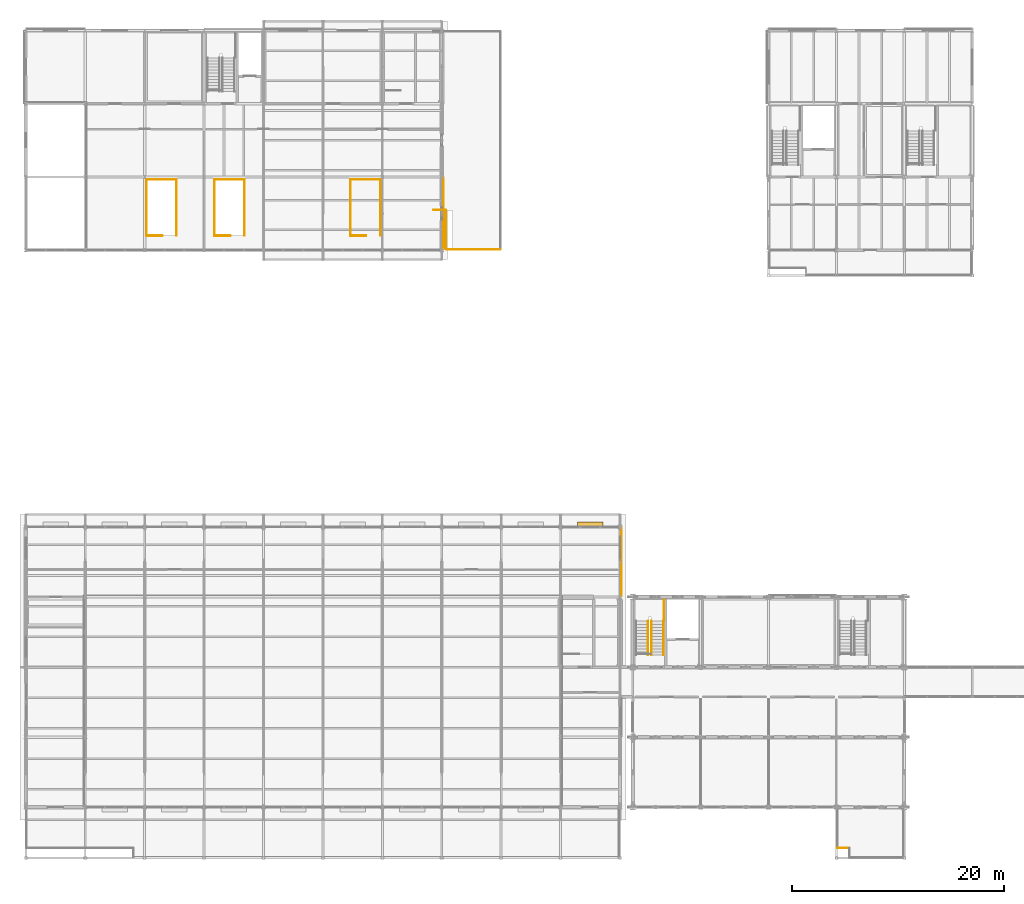
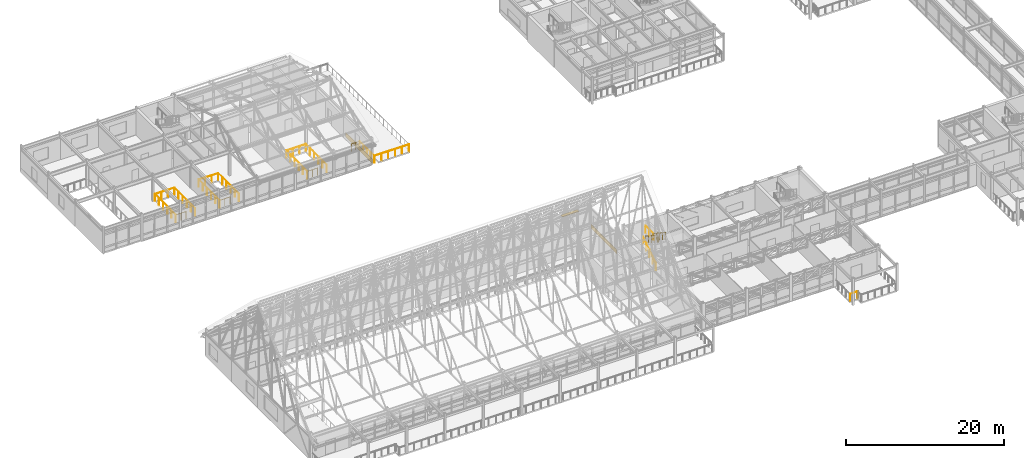
# One storey, part 140 of 144: 20 railings, 2 coverings, 1 shading device.
"""IFC4 building model written with IfcOpenShell, lengths in metres."""

from ifc_helpers import new_model, si_unit, direction, frame, origin, origin_2d, place, context, subcontext, project, spatial, rectangle, circle, extrude, material, layer, layer_set, type_object, element, save


model = new_model("IFC4")

# Units and contexts
model_context = context("Model", 3, precision=1e-05, world=origin(), true_north=direction((0.0, 1.0)))
body_context = subcontext(model_context, "Body", "Model", "MODEL_VIEW")
ifc_project = project(units=[si_unit("LENGTHUNIT", "METRE"), si_unit("AREAUNIT", "SQUARE_METRE"), si_unit("VOLUMEUNIT", "CUBIC_METRE"), si_unit("PLANEANGLEUNIT", "RADIAN"), si_unit("MASSUNIT", "GRAM", prefix="KILO")], contexts=[model_context])

# Site, building, storey
site_placement = place(None, origin())
site = spatial("IfcSite", under=ifc_project, at=site_placement, CompositionType="ELEMENT")
building_placement = place(site_placement, origin())
building = spatial("IfcBuilding", under=site, at=building_placement, Name="Trelmorton Wharf Fire Station", CompositionType="ELEMENT")
storey_placement = place(building_placement, frame((0.0, 0.0, 5.39990234375)))
storey = spatial("IfcBuildingStorey", under=building, at=storey_placement, Name="L01", CompositionType="ELEMENT", Elevation=5.39990234375)

# Coverings
ifc_material_1 = material(Name="Architectural terracotta cladding", Category="masonry")
ifc_layer_1 = layer(ifc_material_1, 0.044921875)
ifc_layer_set_1 = layer_set([ifc_layer_1], Name="Architectural terracotta cladding")
covering_type = type_object("IfcCoveringType", Name="CV_CLAD_TER", PredefinedType="CLADDING", material=ifc_layer_set_1)
covering_1_placement = place(storey_placement, frame((56.93505859375, 30.89990234375, 0.0302734375), z_axis=(0.0, 0.0, 1.0), x_axis=(0.0, -1.0, 0.0)))
element("IfcCovering", 1, at=covering_1_placement, inside=storey, type_object=covering_type, Name="CV-TER-0004", PredefinedType="CLADDING", context=body_context, shape_type="SweptSolid", body=[
    extrude(rectangle(XDim=6.469970703125, YDim=0.044921875, at=origin_2d()), origin(), (0.0, 0.0, 1.0), 0.659912109375),
])
covering_2_placement = place(storey_placement, frame((40.1650390625, 63.75, 0.0302734375), z_axis=(0.0, 0.0, 1.0), x_axis=(0.0, -1.0, 0.0)))
element("IfcCovering", 2, at=covering_2_placement, inside=storey, type_object=covering_type, Name="CV-TER-0025", PredefinedType="CLADDING", context=body_context, shape_type="SweptSolid", body=[
    extrude(rectangle(XDim=6.77001953125, YDim=0.044921875, at=origin_2d()), origin(), (0.0, 0.0, 1.0), 0.659912109375),
])

# Railings
ifc_material_2 = material(Name="Signal-red architectural steel Grade 350", Category="steel")
railing_type_1 = type_object("IfcRailingType", Name="RL_BAL_RED", PredefinedType="BALUSTRADE", material=ifc_material_2)
railing_1_placement = place(storey_placement, frame((77.320068359375, 3.93994140625, 0.0)))
element("IfcRailing", 3, at=railing_1_placement, inside=storey, type_object=railing_type_1, Name="RL-DECK-L01-014", PredefinedType="BALUSTRADE", context=body_context, shape_type="SweptSolid", body=[
    extrude(circle(Radius=0.02392578125, at=origin_2d()), frame((0.0, 0.0, 1.09619140625), z_axis=(1.0, 0.0, 0.0), x_axis=(0.0, 1.0, 0.0)), (0.0, 0.0, 1.0), 1.059814453125),
    extrude(circle(Radius=0.02099609375, at=origin_2d()), origin(), (0.0, 0.0, 1.0), 1.072021484375),
    extrude(circle(Radius=0.02099609375, at=origin_2d()), frame((1.059814453125, 0.0, 0.0)), (0.0, 0.0, 1.0), 1.072021484375),
])
ifc_material_3 = material(Name="Stainless steel 316 marine grade", Category="steel")
railing_type_2 = type_object("IfcRailingType", Name="RL_BAL_TERR", PredefinedType="BALUSTRADE", material=ifc_material_3)
railing_2_placement = place(storey_placement, frame((39.239990234375, 64.10009765625, 0.0)))
element("IfcRailing", 4, at=railing_2_placement, inside=storey, type_object=railing_type_2, Name="RL-DECK-L01-041", PredefinedType="BALUSTRADE", context=body_context, shape_type="SweptSolid", body=[
    extrude(circle(Radius=0.02392578125, at=origin_2d()), frame((0.0, 0.0, 1.09619140625), z_axis=(1.0, 0.0, 0.0), x_axis=(0.0, 1.0, 0.0)), (0.0, 0.0, 1.0), 1.139892578125),
    extrude(circle(Radius=0.02099609375, at=origin_2d()), origin(), (0.0, 0.0, 1.0), 1.072021484375),
    extrude(circle(Radius=0.02099609375, at=origin_2d()), frame((0.56982421875, 0.0, 0.0)), (0.0, 0.0, 1.0), 1.072021484375),
    extrude(circle(Radius=0.02099609375, at=origin_2d()), frame((1.139892578125, 0.0, 0.0)), (0.0, 0.0, 1.0), 1.072021484375),
])
railing_3_placement = place(storey_placement, frame((40.419921875, 64.06005859375, 0.0)))
element("IfcRailing", 5, at=railing_3_placement, inside=storey, type_object=railing_type_2, Name="RL-DECK-L01-042", PredefinedType="BALUSTRADE", context=body_context, shape_type="SweptSolid", body=[
    extrude(circle(Radius=0.02392578125, at=origin_2d()), frame((0.0, 0.0, 1.09619140625), z_axis=(0.0, -1.0, 0.0), x_axis=(1.0, 0.0, 0.0)), (0.0, 0.0, 1.0), 3.64013671875),
    extrude(circle(Radius=0.02099609375, at=origin_2d()), origin(), (0.0, 0.0, 1.0), 1.072021484375),
    extrude(circle(Radius=0.02099609375, at=origin_2d()), frame((0.0, -0.91015625, 0.0)), (0.0, 0.0, 1.0), 1.072021484375),
    extrude(circle(Radius=0.02099609375, at=origin_2d()), frame((0.0, -1.820068359375, 0.0)), (0.0, 0.0, 1.0), 1.072021484375),
    extrude(circle(Radius=0.02099609375, at=origin_2d()), frame((0.0, -2.72998046875, 0.0)), (0.0, 0.0, 1.0), 1.072021484375),
    extrude(circle(Radius=0.02099609375, at=origin_2d()), frame((0.0, -3.64013671875, 0.0)), (0.0, 0.0, 1.0), 1.072021484375),
])
railing_4_placement = place(storey_placement, frame((40.4599609375, 60.3798828125, 0.0)))
element("IfcRailing", 6, at=railing_4_placement, inside=storey, type_object=railing_type_2, Name="RL-DECK-L01-043", PredefinedType="BALUSTRADE", context=body_context, shape_type="SweptSolid", body=[
    extrude(circle(Radius=0.02392578125, at=origin_2d()), frame((0.0, 0.0, 1.09619140625), z_axis=(1.0, 0.0, 0.0), x_axis=(0.0, 1.0, 0.0)), (0.0, 0.0, 1.0), 5.02001953125),
    extrude(circle(Radius=0.02099609375, at=origin_2d()), origin(), (0.0, 0.0, 1.0), 1.072021484375),
    extrude(circle(Radius=0.02099609375, at=origin_2d()), frame((1.00390625, 0.0, 0.0)), (0.0, 0.0, 1.0), 1.072021484375),
    extrude(circle(Radius=0.02099609375, at=origin_2d()), frame((2.008056640625, 0.0, 0.0)), (0.0, 0.0, 1.0), 1.072021484375),
    extrude(circle(Radius=0.02099609375, at=origin_2d()), frame((3.011962890625, 0.0, 0.0)), (0.0, 0.0, 1.0), 1.072021484375),
    extrude(circle(Radius=0.02099609375, at=origin_2d()), frame((4.01611328125, 0.0, 0.0)), (0.0, 0.0, 1.0), 1.072021484375),
    extrude(circle(Radius=0.02099609375, at=origin_2d()), frame((5.02001953125, 0.0, 0.0)), (0.0, 0.0, 1.0), 1.072021484375),
])
railing_type_3 = type_object("IfcRailingType", Name="RL_WELL_1100", PredefinedType="BALUSTRADE", material=ifc_material_3)
railing_5_placement = place(storey_placement, frame((60.955078125, 27.3349609375, 2.10009765625)))
element("IfcRailing", 7, at=railing_5_placement, inside=storey, type_object=railing_type_3, Name="RL-GW-OUT1-STR-C2-L01-03", PredefinedType="BALUSTRADE", context=body_context, shape_type="SweptSolid", body=[
    extrude(circle(Radius=0.02392578125, at=origin_2d()), frame((0.0, 0.0, 1.09619140625), z_axis=(0.0, -1.0, 0.0), x_axis=(1.0, 0.0, 0.0)), (0.0, 0.0, 1.0), 1.96484375),
    extrude(circle(Radius=0.02099609375, at=origin_2d()), origin(), (0.0, 0.0, 1.0), 1.072021484375),
    extrude(circle(Radius=0.02099609375, at=origin_2d()), frame((0.0, -0.982421875, 0.0)), (0.0, 0.0, 1.0), 1.072021484375),
    extrude(circle(Radius=0.02099609375, at=origin_2d()), frame((0.0, -1.96484375, 0.0)), (0.0, 0.0, 1.0), 1.072021484375),
])
railing_6_placement = place(storey_placement, frame((60.889892578125, 25.330078125, 2.10009765625)))
element("IfcRailing", 8, at=railing_6_placement, inside=storey, type_object=railing_type_3, Name="RL-GW-OUT2-STR-C2-L01-03", PredefinedType="BALUSTRADE", context=body_context, shape_type="SweptSolid", body=[
    extrude(circle(Radius=0.02392578125, at=origin_2d()), frame((0.0, 0.0, 1.09619140625), z_axis=(0.0, -0.835261802243, 0.549852454495), x_axis=(1.0, 0.0, 0.0)), (0.0, 0.0, 1.0), 3.8193359375),
    extrude(circle(Radius=0.02099609375, at=origin_2d()), origin(), (0.0, 0.0, 1.0), 1.072021484375),
    extrude(circle(Radius=0.02099609375, at=origin_2d()), frame((0.0, -0.797607421875, 0.52490234375)), (0.0, 0.0, 1.0), 1.072021484375),
    extrude(circle(Radius=0.02099609375, at=origin_2d()), frame((0.0, -1.59521484375, 1.050048828125)), (0.0, 0.0, 1.0), 1.072021484375),
    extrude(circle(Radius=0.02099609375, at=origin_2d()), frame((0.0, -2.392578125, 1.5751953125)), (0.0, 0.0, 1.0), 1.072021484375),
    extrude(circle(Radius=0.02099609375, at=origin_2d()), frame((0.0, -3.190185546875, 2.10009765625)), (0.0, 0.0, 1.0), 1.072021484375),
])
railing_7_placement = place(storey_placement, frame((59.449951171875, 22.139892578125, 0.0)))
element("IfcRailing", 9, at=railing_7_placement, inside=storey, type_object=railing_type_3, Name="RL-GW-IN1-STR-C2-L01-03", PredefinedType="BALUSTRADE", context=body_context, shape_type="SweptSolid", body=[
    extrude(circle(Radius=0.02392578125, at=origin_2d()), frame((0.0, 0.0, 1.09619140625), z_axis=(0.0, 0.835261802243, 0.549852454495), x_axis=(-1.0, 0.0, 0.0)), (0.0, 0.0, 1.0), 3.8193359375),
    extrude(circle(Radius=0.02099609375, at=origin_2d()), origin(), (0.0, 0.0, 1.0), 1.072021484375),
    extrude(circle(Radius=0.02099609375, at=origin_2d()), frame((0.0, 0.797607421875, 0.52490234375)), (0.0, 0.0, 1.0), 1.072021484375),
    extrude(circle(Radius=0.02099609375, at=origin_2d()), frame((0.0, 1.59521484375, 1.050048828125)), (0.0, 0.0, 1.0), 1.072021484375),
    extrude(circle(Radius=0.02099609375, at=origin_2d()), frame((0.0, 2.392578125, 1.5751953125)), (0.0, 0.0, 1.0), 1.072021484375),
    extrude(circle(Radius=0.02099609375, at=origin_2d()), frame((0.0, 3.190185546875, 2.10009765625)), (0.0, 0.0, 1.0), 1.072021484375),
])
railing_8_placement = place(storey_placement, frame((59.75, 25.330078125, 2.10009765625)))
element("IfcRailing", 10, at=railing_8_placement, inside=storey, type_object=railing_type_3, Name="RL-GW-IN2-STR-C2-L01-03", PredefinedType="BALUSTRADE", context=body_context, shape_type="SweptSolid", body=[
    extrude(circle(Radius=0.02392578125, at=origin_2d()), frame((0.0, 0.0, 1.09619140625), z_axis=(0.0, -0.835261802243, 0.549852454495), x_axis=(1.0, 0.0, 0.0)), (0.0, 0.0, 1.0), 3.8193359375),
    extrude(circle(Radius=0.02099609375, at=origin_2d()), origin(), (0.0, 0.0, 1.0), 1.072021484375),
    extrude(circle(Radius=0.02099609375, at=origin_2d()), frame((0.0, -0.797607421875, 0.52490234375)), (0.0, 0.0, 1.0), 1.072021484375),
    extrude(circle(Radius=0.02099609375, at=origin_2d()), frame((0.0, -1.59521484375, 1.050048828125)), (0.0, 0.0, 1.0), 1.072021484375),
    extrude(circle(Radius=0.02099609375, at=origin_2d()), frame((0.0, -2.392578125, 1.5751953125)), (0.0, 0.0, 1.0), 1.072021484375),
    extrude(circle(Radius=0.02099609375, at=origin_2d()), frame((0.0, -3.190185546875, 2.10009765625)), (0.0, 0.0, 1.0), 1.072021484375),
])
railing_9_placement = place(storey_placement, frame((12.179931640625, 61.659912109375, 0.0)))
element("IfcRailing", 11, at=railing_9_placement, inside=storey, type_object=railing_type_3, Name="RL-STS-01-US", PredefinedType="BALUSTRADE", context=body_context, shape_type="SweptSolid", body=[
    extrude(circle(Radius=0.02392578125, at=origin_2d()), frame((0.0, 0.0, 1.09619140625), z_axis=(1.0, 0.0, 0.0), x_axis=(0.0, 1.0, 0.0)), (0.0, 0.0, 1.0), 1.5),
    extrude(circle(Radius=0.02099609375, at=origin_2d()), origin(), (0.0, 0.0, 1.0), 1.072021484375),
    extrude(circle(Radius=0.02099609375, at=origin_2d()), frame((0.75, 0.0, 0.0)), (0.0, 0.0, 1.0), 1.072021484375),
    extrude(circle(Radius=0.02099609375, at=origin_2d()), frame((1.5, 0.0, 0.0)), (0.0, 0.0, 1.0), 1.072021484375),
])
railing_10_placement = place(storey_placement, frame((12.179931640625, 61.659912109375, 0.0)))
element("IfcRailing", 12, at=railing_10_placement, inside=storey, type_object=railing_type_3, Name="RL-STS-01-UW", PredefinedType="BALUSTRADE", context=body_context, shape_type="SweptSolid", body=[
    extrude(circle(Radius=0.02392578125, at=origin_2d()), frame((0.0, 0.0, 1.09619140625), z_axis=(0.0, 1.0, 0.0), x_axis=(-1.0, 0.0, 0.0)), (0.0, 0.0, 1.0), 5.280029296875),
    extrude(circle(Radius=0.02099609375, at=origin_2d()), origin(), (0.0, 0.0, 1.0), 1.072021484375),
    extrude(circle(Radius=0.02099609375, at=origin_2d()), frame((0.0, 1.055908203125, 0.0)), (0.0, 0.0, 1.0), 1.072021484375),
    extrude(circle(Radius=0.02099609375, at=origin_2d()), frame((0.0, 2.112060546875, 0.0)), (0.0, 0.0, 1.0), 1.072021484375),
    extrude(circle(Radius=0.02099609375, at=origin_2d()), frame((0.0, 3.16796875, 0.0)), (0.0, 0.0, 1.0), 1.072021484375),
    extrude(circle(Radius=0.02099609375, at=origin_2d()), frame((0.0, 4.22412109375, 0.0)), (0.0, 0.0, 1.0), 1.072021484375),
    extrude(circle(Radius=0.02099609375, at=origin_2d()), frame((0.0, 5.280029296875, 0.0)), (0.0, 0.0, 1.0), 1.072021484375),
])
railing_11_placement = place(storey_placement, frame((12.179931640625, 66.93994140625, 0.0)))
element("IfcRailing", 13, at=railing_11_placement, inside=storey, type_object=railing_type_3, Name="RL-STS-01-UN", PredefinedType="BALUSTRADE", context=body_context, shape_type="SweptSolid", body=[
    extrude(circle(Radius=0.02392578125, at=origin_2d()), frame((0.0, 0.0, 1.09619140625), z_axis=(1.0, 0.0, 0.0), x_axis=(0.0, 1.0, 0.0)), (0.0, 0.0, 1.0), 2.840087890625),
    extrude(circle(Radius=0.02099609375, at=origin_2d()), origin(), (0.0, 0.0, 1.0), 1.072021484375),
    extrude(circle(Radius=0.02099609375, at=origin_2d()), frame((0.94677734375, 0.0, 0.0)), (0.0, 0.0, 1.0), 1.072021484375),
    extrude(circle(Radius=0.02099609375, at=origin_2d()), frame((1.893310546875, 0.0, 0.0)), (0.0, 0.0, 1.0), 1.072021484375),
    extrude(circle(Radius=0.02099609375, at=origin_2d()), frame((2.840087890625, 0.0, 0.0)), (0.0, 0.0, 1.0), 1.072021484375),
])
railing_12_placement = place(storey_placement, frame((15.02001953125, 61.659912109375, 0.0)))
element("IfcRailing", 14, at=railing_12_placement, inside=storey, type_object=railing_type_3, Name="RL-STS-01-UE", PredefinedType="BALUSTRADE", context=body_context, shape_type="SweptSolid", body=[
    extrude(circle(Radius=0.02392578125, at=origin_2d()), frame((0.0, 0.0, 1.09619140625), z_axis=(0.0, 1.0, 0.0), x_axis=(-1.0, 0.0, 0.0)), (0.0, 0.0, 1.0), 5.280029296875),
    extrude(circle(Radius=0.02099609375, at=origin_2d()), origin(), (0.0, 0.0, 1.0), 1.072021484375),
    extrude(circle(Radius=0.02099609375, at=origin_2d()), frame((0.0, 1.055908203125, 0.0)), (0.0, 0.0, 1.0), 1.072021484375),
    extrude(circle(Radius=0.02099609375, at=origin_2d()), frame((0.0, 2.112060546875, 0.0)), (0.0, 0.0, 1.0), 1.072021484375),
    extrude(circle(Radius=0.02099609375, at=origin_2d()), frame((0.0, 3.16796875, 0.0)), (0.0, 0.0, 1.0), 1.072021484375),
    extrude(circle(Radius=0.02099609375, at=origin_2d()), frame((0.0, 4.22412109375, 0.0)), (0.0, 0.0, 1.0), 1.072021484375),
    extrude(circle(Radius=0.02099609375, at=origin_2d()), frame((0.0, 5.280029296875, 0.0)), (0.0, 0.0, 1.0), 1.072021484375),
])
railing_13_placement = place(storey_placement, frame((18.580078125, 61.659912109375, 0.0)))
element("IfcRailing", 15, at=railing_13_placement, inside=storey, type_object=railing_type_3, Name="RL-STS-02-US", PredefinedType="BALUSTRADE", context=body_context, shape_type="SweptSolid", body=[
    extrude(circle(Radius=0.02392578125, at=origin_2d()), frame((0.0, 0.0, 1.09619140625), z_axis=(1.0, 0.0, 0.0), x_axis=(0.0, 1.0, 0.0)), (0.0, 0.0, 1.0), 1.5),
    extrude(circle(Radius=0.02099609375, at=origin_2d()), origin(), (0.0, 0.0, 1.0), 1.072021484375),
    extrude(circle(Radius=0.02099609375, at=origin_2d()), frame((0.75, 0.0, 0.0)), (0.0, 0.0, 1.0), 1.072021484375),
    extrude(circle(Radius=0.02099609375, at=origin_2d()), frame((1.5, 0.0, 0.0)), (0.0, 0.0, 1.0), 1.072021484375),
])
railing_14_placement = place(storey_placement, frame((18.580078125, 61.659912109375, 0.0)))
element("IfcRailing", 16, at=railing_14_placement, inside=storey, type_object=railing_type_3, Name="RL-STS-02-UW", PredefinedType="BALUSTRADE", context=body_context, shape_type="SweptSolid", body=[
    extrude(circle(Radius=0.02392578125, at=origin_2d()), frame((0.0, 0.0, 1.09619140625), z_axis=(0.0, 1.0, 0.0), x_axis=(-1.0, 0.0, 0.0)), (0.0, 0.0, 1.0), 5.280029296875),
    extrude(circle(Radius=0.02099609375, at=origin_2d()), origin(), (0.0, 0.0, 1.0), 1.072021484375),
    extrude(circle(Radius=0.02099609375, at=origin_2d()), frame((0.0, 1.055908203125, 0.0)), (0.0, 0.0, 1.0), 1.072021484375),
    extrude(circle(Radius=0.02099609375, at=origin_2d()), frame((0.0, 2.112060546875, 0.0)), (0.0, 0.0, 1.0), 1.072021484375),
    extrude(circle(Radius=0.02099609375, at=origin_2d()), frame((0.0, 3.16796875, 0.0)), (0.0, 0.0, 1.0), 1.072021484375),
    extrude(circle(Radius=0.02099609375, at=origin_2d()), frame((0.0, 4.22412109375, 0.0)), (0.0, 0.0, 1.0), 1.072021484375),
    extrude(circle(Radius=0.02099609375, at=origin_2d()), frame((0.0, 5.280029296875, 0.0)), (0.0, 0.0, 1.0), 1.072021484375),
])
railing_15_placement = place(storey_placement, frame((18.580078125, 66.93994140625, 0.0)))
element("IfcRailing", 17, at=railing_15_placement, inside=storey, type_object=railing_type_3, Name="RL-STS-02-UN", PredefinedType="BALUSTRADE", context=body_context, shape_type="SweptSolid", body=[
    extrude(circle(Radius=0.02392578125, at=origin_2d()), frame((0.0, 0.0, 1.09619140625), z_axis=(1.0, 0.0, 0.0), x_axis=(0.0, 1.0, 0.0)), (0.0, 0.0, 1.0), 2.83984375),
    extrude(circle(Radius=0.02099609375, at=origin_2d()), origin(), (0.0, 0.0, 1.0), 1.072021484375),
    extrude(circle(Radius=0.02099609375, at=origin_2d()), frame((0.946533203125, 0.0, 0.0)), (0.0, 0.0, 1.0), 1.072021484375),
    extrude(circle(Radius=0.02099609375, at=origin_2d()), frame((1.893310546875, 0.0, 0.0)), (0.0, 0.0, 1.0), 1.072021484375),
    extrude(circle(Radius=0.02099609375, at=origin_2d()), frame((2.83984375, 0.0, 0.0)), (0.0, 0.0, 1.0), 1.072021484375),
])
railing_16_placement = place(storey_placement, frame((21.419921875, 61.659912109375, 0.0)))
element("IfcRailing", 18, at=railing_16_placement, inside=storey, type_object=railing_type_3, Name="RL-STS-02-UE", PredefinedType="BALUSTRADE", context=body_context, shape_type="SweptSolid", body=[
    extrude(circle(Radius=0.02392578125, at=origin_2d()), frame((0.0, 0.0, 1.09619140625), z_axis=(0.0, 1.0, 0.0), x_axis=(-1.0, 0.0, 0.0)), (0.0, 0.0, 1.0), 5.280029296875),
    extrude(circle(Radius=0.02099609375, at=origin_2d()), origin(), (0.0, 0.0, 1.0), 1.072021484375),
    extrude(circle(Radius=0.02099609375, at=origin_2d()), frame((0.0, 1.055908203125, 0.0)), (0.0, 0.0, 1.0), 1.072021484375),
    extrude(circle(Radius=0.02099609375, at=origin_2d()), frame((0.0, 2.112060546875, 0.0)), (0.0, 0.0, 1.0), 1.072021484375),
    extrude(circle(Radius=0.02099609375, at=origin_2d()), frame((0.0, 3.16796875, 0.0)), (0.0, 0.0, 1.0), 1.072021484375),
    extrude(circle(Radius=0.02099609375, at=origin_2d()), frame((0.0, 4.22412109375, 0.0)), (0.0, 0.0, 1.0), 1.072021484375),
    extrude(circle(Radius=0.02099609375, at=origin_2d()), frame((0.0, 5.280029296875, 0.0)), (0.0, 0.0, 1.0), 1.072021484375),
])
railing_17_placement = place(storey_placement, frame((31.3798828125, 61.659912109375, 0.0)))
element("IfcRailing", 19, at=railing_17_placement, inside=storey, type_object=railing_type_3, Name="RL-STS-03-US", PredefinedType="BALUSTRADE", context=body_context, shape_type="SweptSolid", body=[
    extrude(circle(Radius=0.02392578125, at=origin_2d()), frame((0.0, 0.0, 1.09619140625), z_axis=(1.0, 0.0, 0.0), x_axis=(0.0, 1.0, 0.0)), (0.0, 0.0, 1.0), 1.5),
    extrude(circle(Radius=0.02099609375, at=origin_2d()), origin(), (0.0, 0.0, 1.0), 1.072021484375),
    extrude(circle(Radius=0.02099609375, at=origin_2d()), frame((0.75, 0.0, 0.0)), (0.0, 0.0, 1.0), 1.072021484375),
    extrude(circle(Radius=0.02099609375, at=origin_2d()), frame((1.5, 0.0, 0.0)), (0.0, 0.0, 1.0), 1.072021484375),
])
railing_18_placement = place(storey_placement, frame((31.3798828125, 61.659912109375, 0.0)))
element("IfcRailing", 20, at=railing_18_placement, inside=storey, type_object=railing_type_3, Name="RL-STS-03-UW", PredefinedType="BALUSTRADE", context=body_context, shape_type="SweptSolid", body=[
    extrude(circle(Radius=0.02392578125, at=origin_2d()), frame((0.0, 0.0, 1.09619140625), z_axis=(0.0, 1.0, 0.0), x_axis=(-1.0, 0.0, 0.0)), (0.0, 0.0, 1.0), 5.280029296875),
    extrude(circle(Radius=0.02099609375, at=origin_2d()), origin(), (0.0, 0.0, 1.0), 1.072021484375),
    extrude(circle(Radius=0.02099609375, at=origin_2d()), frame((0.0, 1.055908203125, 0.0)), (0.0, 0.0, 1.0), 1.072021484375),
    extrude(circle(Radius=0.02099609375, at=origin_2d()), frame((0.0, 2.112060546875, 0.0)), (0.0, 0.0, 1.0), 1.072021484375),
    extrude(circle(Radius=0.02099609375, at=origin_2d()), frame((0.0, 3.16796875, 0.0)), (0.0, 0.0, 1.0), 1.072021484375),
    extrude(circle(Radius=0.02099609375, at=origin_2d()), frame((0.0, 4.22412109375, 0.0)), (0.0, 0.0, 1.0), 1.072021484375),
    extrude(circle(Radius=0.02099609375, at=origin_2d()), frame((0.0, 5.280029296875, 0.0)), (0.0, 0.0, 1.0), 1.072021484375),
])
railing_19_placement = place(storey_placement, frame((31.3798828125, 66.93994140625, 0.0)))
element("IfcRailing", 21, at=railing_19_placement, inside=storey, type_object=railing_type_3, Name="RL-STS-03-UN", PredefinedType="BALUSTRADE", context=body_context, shape_type="SweptSolid", body=[
    extrude(circle(Radius=0.02392578125, at=origin_2d()), frame((0.0, 0.0, 1.09619140625), z_axis=(1.0, 0.0, 0.0), x_axis=(0.0, 1.0, 0.0)), (0.0, 0.0, 1.0), 2.840087890625),
    extrude(circle(Radius=0.02099609375, at=origin_2d()), origin(), (0.0, 0.0, 1.0), 1.072021484375),
    extrude(circle(Radius=0.02099609375, at=origin_2d()), frame((0.94677734375, 0.0, 0.0)), (0.0, 0.0, 1.0), 1.072021484375),
    extrude(circle(Radius=0.02099609375, at=origin_2d()), frame((1.893310546875, 0.0, 0.0)), (0.0, 0.0, 1.0), 1.072021484375),
    extrude(circle(Radius=0.02099609375, at=origin_2d()), frame((2.840087890625, 0.0, 0.0)), (0.0, 0.0, 1.0), 1.072021484375),
])
railing_20_placement = place(storey_placement, frame((34.219970703125, 61.659912109375, 0.0)))
element("IfcRailing", 22, at=railing_20_placement, inside=storey, type_object=railing_type_3, Name="RL-STS-03-UE", PredefinedType="BALUSTRADE", context=body_context, shape_type="SweptSolid", body=[
    extrude(circle(Radius=0.02392578125, at=origin_2d()), frame((0.0, 0.0, 1.09619140625), z_axis=(0.0, 1.0, 0.0), x_axis=(-1.0, 0.0, 0.0)), (0.0, 0.0, 1.0), 5.280029296875),
    extrude(circle(Radius=0.02099609375, at=origin_2d()), origin(), (0.0, 0.0, 1.0), 1.072021484375),
    extrude(circle(Radius=0.02099609375, at=origin_2d()), frame((0.0, 1.055908203125, 0.0)), (0.0, 0.0, 1.0), 1.072021484375),
    extrude(circle(Radius=0.02099609375, at=origin_2d()), frame((0.0, 2.112060546875, 0.0)), (0.0, 0.0, 1.0), 1.072021484375),
    extrude(circle(Radius=0.02099609375, at=origin_2d()), frame((0.0, 3.16796875, 0.0)), (0.0, 0.0, 1.0), 1.072021484375),
    extrude(circle(Radius=0.02099609375, at=origin_2d()), frame((0.0, 4.22412109375, 0.0)), (0.0, 0.0, 1.0), 1.072021484375),
    extrude(circle(Radius=0.02099609375, at=origin_2d()), frame((0.0, 5.280029296875, 0.0)), (0.0, 0.0, 1.0), 1.072021484375),
])

# Shading device
ifc_material_4 = material(Name="Anodised aluminium AW-6063", Category="aluminium")
ifc_layer_2 = layer(ifc_material_4, 0.080078125)
ifc_layer_set_2 = layer_set([ifc_layer_2], Name="Anodised aluminium AW-6063")
shading_device_type = type_object("IfcShadingDeviceType", Name="SH_LOUVRE_A", PredefinedType="AWNING", material=ifc_layer_set_2)
shading_device_placement = place(storey_placement, frame((54.0, 34.4375, 3.16015625), z_axis=(0.0, 0.0, 1.0), x_axis=(1.0, 0.0, 0.0)))
element("IfcShadingDevice", 23, at=shading_device_placement, inside=storey, type_object=shading_device_type, Name="SH-LV-018", PredefinedType="AWNING", context=body_context, shape_type="SweptSolid", body=[
    extrude(rectangle(XDim=2.39990234375, YDim=0.449951171875, at=origin_2d()), origin(), (0.0, 0.0, 1.0), 0.080078125),
])

save(model, "model.ifc")
